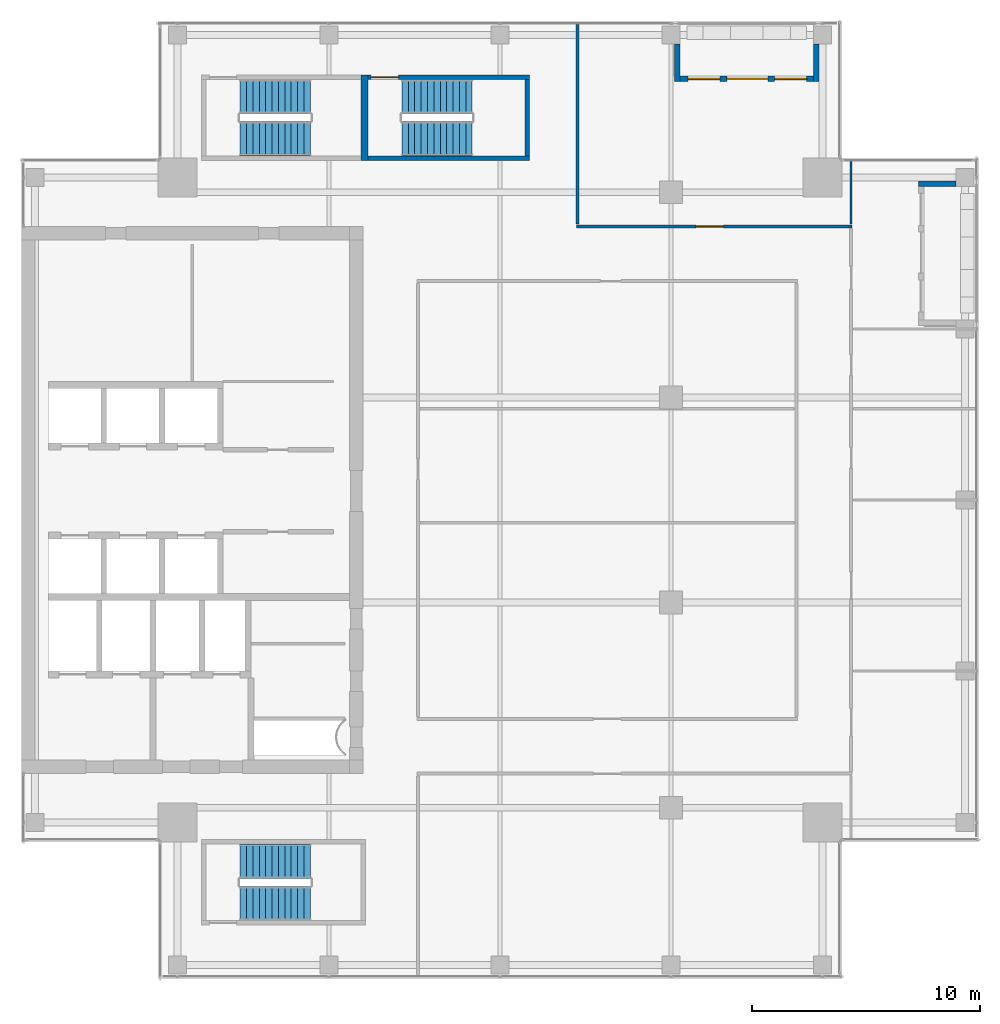
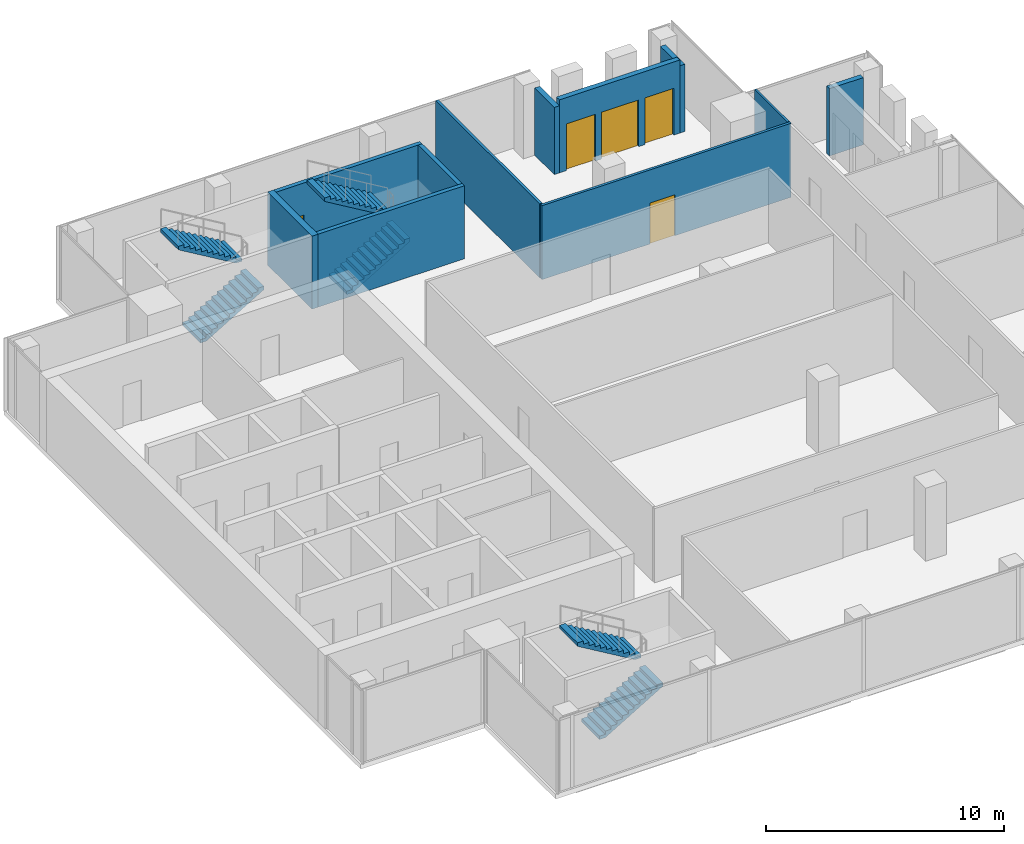
# One storey, part 27 of 29: 11 walls, 6 stair flights, 3 doors, 2 windows, 5 openings, 3 elements without a shape of their own.
"""IFC4 building model written with IfcOpenShell, lengths in metres."""

from ifc_helpers import new_model, si_unit, direction, frame, frame_2d, origin, place, context, subcontext, project, spatial, polyline, rectangle, outline, extrude, source, transform, mapped, material, layer, layer_set, type_object, element, fill, aggregate, save


model = new_model("IFC4")

# Units and contexts
model_context = context("Model", 3, precision=1e-05, world=origin(), true_north=direction((0.0, 1.0)))
body_context = subcontext(model_context, "Body", "Model", "MODEL_VIEW")
ifc_project = project(units=[si_unit("LENGTHUNIT", "METRE"), si_unit("AREAUNIT", "SQUARE_METRE"), si_unit("VOLUMEUNIT", "CUBIC_METRE"), si_unit("PLANEANGLEUNIT", "RADIAN"), si_unit("MASSUNIT", "GRAM", prefix="KILO")], contexts=[model_context])

# Site, building, storey
site_placement = place(None, origin())
site = spatial("IfcSite", under=ifc_project, at=site_placement, CompositionType="ELEMENT")
building_placement = place(site_placement, origin())
building = spatial("IfcBuilding", under=site, at=building_placement, Name="Khomas Fold Tower", CompositionType="ELEMENT")
storey_placement = place(building_placement, frame((0.0, 0.0, 310.199951171875)))
storey = spatial("IfcBuildingStorey", under=building, at=storey_placement, Name="L70", CompositionType="ELEMENT", Elevation=310.199951171875)

# Wall, opening, door
ifc_material_1 = material(Name="Concrete C50/60", Category="concrete")
ifc_layer_1 = layer(ifc_material_1, 0.199951171875)
ifc_layer_set_1 = layer_set([ifc_layer_1], Name="Concrete C50/60")
wall_type_1 = type_object("IfcWallType", Name="Stair wall 200", PredefinedType="SHEAR", material=ifc_layer_set_1)
shared_shape_1 = source(origin(), body_context, "Body", "SweptSolid", [
    extrude(rectangle(XDim=7.10009765625, YDim=0.199951171875, at=frame_2d((3.550048828125, 0.0))), origin(), (0.0, 0.0, 1.0), 3.75),
])
wall_1_placement = place(storey_placement, frame((21.199951171875, 45.550048828125, 0.0), z_axis=(0.0, 0.0, 1.0), x_axis=(1.0, 0.0, 0.0)))
wall_1 = element("IfcWall", 1, at=wall_1_placement, inside=storey, type_object=wall_type_1, Name="Stair wall SW-ST3-N", PredefinedType="SHEAR", context=body_context, shape_type="MappedRepresentation", body=[
    mapped(shared_shape_1, transform((0.0, 0.0, 0.0))),
])
shared_shape_2 = source(origin(), body_context, "Body", "SweptSolid", [
    extrude(rectangle(XDim=1.199951171875, YDim=2.10009765625, at=frame_2d((0.60009765625, 1.050048828125))), frame((0.0, 0.10986328125, 0.0), z_axis=(0.0, -1.0, 0.0), x_axis=(1.0, 0.0, 0.0)), (0.0, 0.0, 1.0), 0.219970703125),
])
opening_1_placement = place(wall_1_placement, frame((0.14990234375, 0.0, 0.0)))
opening_1 = element("IfcOpeningElement", 2, at=opening_1_placement, cuts=wall_1, Name="Opening SD-ST3", PredefinedType="OPENING", context=body_context, shape_type="MappedRepresentation", body=[
    mapped(shared_shape_2, transform((0.0, 0.0, 0.0))),
])
ifc_material_2 = material(Name="Steel door leaf", Category="steel")
door_type_1 = type_object("IfcDoorType", Name="Stair door 1200x2100 left-hand", OperationType="SINGLE_SWING_LEFT", PredefinedType="DOOR", material=ifc_material_2)
shared_shape_3 = source(origin(), body_context, "Body", "SweptSolid", [
    extrude(rectangle(XDim=1.199951171875, YDim=2.10009765625, at=frame_2d((0.60009765625, 1.050048828125))), frame((0.0, 0.02490234375, 0.0), z_axis=(0.0, -1.0, 0.0), x_axis=(1.0, 0.0, 0.0)), (0.0, 0.0, 1.0), 0.050048828125),
])
door_1_placement = place(opening_1_placement, origin())
door_1 = element("IfcDoor", 3, at=door_1_placement, inside=storey, type_object=door_type_1, Name="Stair door", OperationType="SINGLE_SWING_LEFT", OverallHeight=2.10009765625, OverallWidth=1.199951171875, PredefinedType="DOOR", context=body_context, shape_type="MappedRepresentation", body=[
    mapped(shared_shape_3, transform((0.0, 0.0, 0.0))),
])
fill(opening_1, door_1)

# Walls
wall_2_placement = place(storey_placement, frame((21.199951171875, 42.0, 0.0), z_axis=(0.0, 0.0, 1.0), x_axis=(1.0, 0.0, 0.0)))
element("IfcWall", 4, at=wall_2_placement, inside=storey, type_object=wall_type_1, Name="Stair wall SW-ST3-S", PredefinedType="SHEAR", context=body_context, shape_type="MappedRepresentation", body=[
    mapped(shared_shape_1, transform((0.0, 0.0, 0.0))),
])
ifc_material_3 = material(Name="Concrete C50/60", Category="concrete")
ifc_layer_2 = layer(ifc_material_3, 0.300048828125)
ifc_layer_set_2 = layer_set([ifc_layer_2], Name="Concrete C50/60")
wall_type_2 = type_object("IfcWallType", Name="Stair wall 300", PredefinedType="SHEAR", material=ifc_layer_set_2)
shared_shape_4 = source(origin(), body_context, "Body", "SweptSolid", [
    extrude(rectangle(XDim=3.75, YDim=0.300048828125, at=frame_2d((1.875, 0.0))), origin(), (0.0, 0.0, 1.0), 3.75),
])
wall_3_placement = place(storey_placement, frame((21.050048828125, 41.89990234375, 0.0), z_axis=(0.0, 0.0, 1.0), x_axis=(0.0, 1.0, 0.0)))
element("IfcWall", 5, at=wall_3_placement, inside=storey, type_object=wall_type_2, Name="Stair wall SW-ST1-E", PredefinedType="SHEAR", context=body_context, shape_type="MappedRepresentation", body=[
    mapped(shared_shape_4, transform((0.0, 0.0, 0.0))),
])
shared_shape_5 = source(origin(), body_context, "Body", "SweptSolid", [
    extrude(rectangle(XDim=3.349853515625, YDim=0.199951171875, at=frame_2d((1.6748046875, 0.0))), origin(), (0.0, 0.0, 1.0), 3.75),
])
wall_4_placement = place(storey_placement, frame((28.199951171875, 42.10009765625, 0.0), z_axis=(0.0, 0.0, 1.0), x_axis=(0.0, 1.0, 0.0)))
element("IfcWall", 6, at=wall_4_placement, inside=storey, type_object=wall_type_1, Name="Stair wall SW-ST3-E", PredefinedType="SHEAR", context=body_context, shape_type="MappedRepresentation", body=[
    mapped(shared_shape_5, transform((0.0, 0.0, 0.0))),
])

# Wall, openings, door, windows
ifc_material_4 = material(Name="Natural stone", Category="masonry")
ifc_layer_3 = layer(ifc_material_4, 0.0400390625)
ifc_material_5 = material(Name="Mineral wool insulation", Category="insulation")
ifc_layer_4 = layer(ifc_material_5, 0.10009765625)
ifc_material_6 = material(Name="Masonry", Category="masonry")
ifc_layer_5 = layer(ifc_material_6, 0.110107421875)
ifc_layer_set_3 = layer_set([ifc_layer_3, ifc_layer_4, ifc_layer_5], Name="Stone-faced insulated masonry")
wall_type_3 = type_object("IfcWallType", Name="BL-Balcony wall", PredefinedType="SOLIDWALL", material=ifc_layer_set_3)
shared_shape_6 = source(origin(), body_context, "Body", "SweptSolid", [
    extrude(rectangle(XDim=5.85009765625, YDim=0.25, at=frame_2d((2.925048828125, 0.0))), origin(), (0.0, 0.0, 1.0), 3.75),
])
wall_5_placement = place(storey_placement, frame((34.89990234375, 45.47509765625, 0.0), z_axis=(0.0, 0.0, 1.0), x_axis=(1.0, 0.0, 0.0)))
wall_5 = element("IfcWall", 7, at=wall_5_placement, inside=storey, type_object=wall_type_3, Name="Balcony wall BAL-L70-N4", PredefinedType="SOLIDWALL", context=body_context, shape_type="MappedRepresentation", body=[
    mapped(shared_shape_6, transform((0.0, 0.0, 0.0))),
])
shared_shape_7 = source(origin(), body_context, "Body", "SweptSolid", [
    extrude(rectangle(XDim=1.39990234375, YDim=2.39990234375, at=frame_2d((0.699951171875, 1.199951171875))), frame((0.0, 0.135009765625, 0.0), z_axis=(0.0, -1.0, 0.0), x_axis=(1.0, 0.0, 0.0)), (0.0, 0.0, 1.0), 0.27001953125),
])
opening_2_placement = place(wall_5_placement, frame((0.35009765625, 0.0, 0.0)))
opening_2 = element("IfcOpeningElement", 8, at=opening_2_placement, cuts=wall_5, Name="Opening BL-W6", PredefinedType="OPENING", context=body_context, shape_type="MappedRepresentation", body=[
    mapped(shared_shape_7, transform((0.0, 0.0, 0.0))),
])
opening_3_placement = place(wall_5_placement, frame((4.14990234375, 0.0, 0.0)))
opening_3 = element("IfcOpeningElement", 9, at=opening_3_placement, cuts=wall_5, Name="Opening BL-W6", PredefinedType="OPENING", context=body_context, shape_type="MappedRepresentation", body=[
    mapped(shared_shape_7, transform((0.0, 0.0, 0.0))),
])
shared_shape_8 = source(origin(), body_context, "Body", "SweptSolid", [
    extrude(rectangle(XDim=1.800048828125, YDim=2.39990234375, at=frame_2d((0.89990234375, 1.199951171875))), frame((0.0, 0.135009765625, 0.0), z_axis=(0.0, -1.0, 0.0), x_axis=(1.0, 0.0, 0.0)), (0.0, 0.0, 1.0), 0.27001953125),
])
opening_4_placement = place(wall_5_placement, frame((2.050048828125, 0.0, 0.0)))
opening_4 = element("IfcOpeningElement", 10, at=opening_4_placement, cuts=wall_5, Name="Opening BD702", PredefinedType="OPENING", context=body_context, shape_type="MappedRepresentation", body=[
    mapped(shared_shape_8, transform((0.0, 0.0, 0.0))),
])
ifc_material_7 = material(Name="Aluminium framed double glazing", Category="aluminium")
door_type_2 = type_object("IfcDoorType", Name="BL-Glazed balcony door 1800 x 2400", OperationType="DOUBLE_DOOR_DOUBLE_SWING", PredefinedType="DOOR", material=ifc_material_7)
shared_shape_9 = source(origin(), body_context, "Body", "SweptSolid", [
    extrude(rectangle(XDim=1.800048828125, YDim=2.39990234375, at=frame_2d((0.89990234375, 1.199951171875))), frame((0.0, 0.02490234375, 0.0), z_axis=(0.0, -1.0, 0.0), x_axis=(1.0, 0.0, 0.0)), (0.0, 0.0, 1.0), 0.050048828125),
])
door_2_placement = place(opening_4_placement, origin())
door_2 = element("IfcDoor", 11, at=door_2_placement, inside=storey, type_object=door_type_2, Name="Balcony door BD702", OperationType="DOUBLE_DOOR_DOUBLE_SWING", OverallHeight=2.39990234375, OverallWidth=1.800048828125, PredefinedType="DOOR", context=body_context, shape_type="MappedRepresentation", body=[
    mapped(shared_shape_9, transform((0.0, 0.0, 0.0))),
])
fill(opening_4, door_2)
ifc_material_8 = material(Name="Aluminium framed double glazing", Category="aluminium")
window_type = type_object("IfcWindowType", Name="BL-Fixed glazing 1400 x 2400", PartitioningType="SINGLE_PANEL", PredefinedType="WINDOW", material=ifc_material_8)
shared_shape_10 = source(origin(), body_context, "Body", "SweptSolid", [
    extrude(rectangle(XDim=1.39990234375, YDim=2.39990234375, at=frame_2d((0.699951171875, 1.199951171875))), frame((0.0, 0.030029296875, 0.0), z_axis=(0.0, -1.0, 0.0), x_axis=(1.0, 0.0, 0.0)), (0.0, 0.0, 1.0), 0.06005859375),
])
window_1_placement = place(opening_2_placement, origin())
window_1 = element("IfcWindow", 12, at=window_1_placement, inside=storey, type_object=window_type, Name="Balcony glazing BAL-L70-N4-1", OverallHeight=2.39990234375, OverallWidth=1.39990234375, PartitioningType="SINGLE_PANEL", PredefinedType="WINDOW", context=body_context, shape_type="MappedRepresentation", body=[
    mapped(shared_shape_10, transform((0.0, 0.0, 0.0))),
])
fill(opening_2, window_1)
window_2_placement = place(opening_3_placement, origin())
window_2 = element("IfcWindow", 13, at=window_2_placement, inside=storey, type_object=window_type, Name="Balcony glazing BAL-L70-N4-2", OverallHeight=2.39990234375, OverallWidth=1.39990234375, PartitioningType="SINGLE_PANEL", PredefinedType="WINDOW", context=body_context, shape_type="MappedRepresentation", body=[
    mapped(shared_shape_10, transform((0.0, 0.0, 0.0))),
])
fill(opening_3, window_2)

# Walls
shared_shape_11 = source(origin(), body_context, "Body", "SweptSolid", [
    extrude(rectangle(XDim=1.64990234375, YDim=0.25, at=frame_2d((0.824951171875, 0.0))), origin(), (0.0, 0.0, 1.0), 3.449951171875),
])
for number, where, z_axis, x_axis, name in (
    (14, (47.0, 40.875, 0.0), (0.0, 0.0, 1.0), (-1.0, 0.0, 0.0), "Balcony return wall BAL-L70-E4-hi"),
    (15, (34.77490234375, 47.0, 0.0), (0.0, 0.0, 1.0), (0.0, -1.0, 0.0), "Balcony return wall BAL-L70-N4-lo"),
    (16, (40.875, 47.0, 0.0), (0.0, 0.0, 1.0), (0.0, -1.0, 0.0), "Balcony return wall BAL-L70-N4-hi"),
):
    element("IfcWall", number, at=place(storey_placement, frame(where, z_axis=z_axis, x_axis=x_axis)), inside=storey, type_object=wall_type_3, Name=name, PredefinedType="SOLIDWALL", context=body_context, shape_type="MappedRepresentation", body=[
        mapped(shared_shape_11, transform((0.0, 0.0, 0.0))),
    ])
ifc_material_9 = material(Name="Plasterboard partition")
ifc_layer_6 = layer(ifc_material_9, 0.125)
ifc_layer_set_4 = layer_set([ifc_layer_6], Name="Plasterboard partition")
wall_type_4 = type_object("IfcWallType", Name="Partition PW2 125", PredefinedType="PARTITIONING", material=ifc_layer_set_4)
shared_shape_12 = source(origin(), body_context, "Body", "SweptSolid", [
    extrude(rectangle(XDim=8.75, YDim=0.125, at=frame_2d((4.375, 0.0))), origin(), (0.0, 0.0, 1.0), 3.800048828125),
])
wall_6_placement = place(storey_placement, frame((30.39990234375, 39.10009765625, 0.0), z_axis=(0.0, 0.0, 1.0), x_axis=(0.0, 1.0, 0.0)))
element("IfcWall", 17, at=wall_6_placement, inside=storey, type_object=wall_type_4, Name="Partition", PredefinedType="PARTITIONING", context=body_context, shape_type="MappedRepresentation", body=[
    mapped(shared_shape_12, transform((0.0, 0.0, 0.0))),
])
ifc_material_10 = material(Name="Plasterboard partition")
ifc_layer_7 = layer(ifc_material_10, 0.10009765625)
ifc_layer_set_5 = layer_set([ifc_layer_7], Name="Plasterboard partition")
wall_type_5 = type_object("IfcWallType", Name="Partition PW1 100", PredefinedType="PARTITIONING", material=ifc_layer_set_5)
shared_shape_13 = source(origin(), body_context, "Body", "SweptSolid", [
    extrude(rectangle(XDim=2.75, YDim=0.10009765625, at=frame_2d((1.375, 0.0))), origin(), (0.0, 0.0, 1.0), 3.800048828125),
])
wall_7_placement = place(storey_placement, frame((42.39990234375, 39.10009765625, 0.0), z_axis=(0.0, 0.0, 1.0), x_axis=(0.0, 1.0, 0.0)))
element("IfcWall", 18, at=wall_7_placement, inside=storey, type_object=wall_type_5, Name="Partition", PredefinedType="PARTITIONING", context=body_context, shape_type="MappedRepresentation", body=[
    mapped(shared_shape_13, transform((0.0, 0.0, 0.0))),
])

# Wall, opening, door
shared_shape_14 = source(origin(), body_context, "Body", "SweptSolid", [
    extrude(rectangle(XDim=12.099853515625, YDim=0.125, at=frame_2d((6.0498046875, 0.0))), origin(), (0.0, 0.0, 1.0), 3.800048828125),
])
wall_8_placement = place(storey_placement, frame((30.35009765625, 39.0, 0.0), z_axis=(0.0, 0.0, 1.0), x_axis=(1.0, 0.0, 0.0)))
wall_8 = element("IfcWall", 19, at=wall_8_placement, inside=storey, type_object=wall_type_4, Name="Partition", PredefinedType="PARTITIONING", context=body_context, shape_type="MappedRepresentation", body=[
    mapped(shared_shape_14, transform((0.0, 0.0, 0.0))),
])
shared_shape_15 = source(origin(), body_context, "Body", "SweptSolid", [
    extrude(rectangle(XDim=1.199951171875, YDim=2.10009765625, at=frame_2d((0.60009765625, 1.050048828125))), frame((0.0, 0.072509765625, 0.0), z_axis=(0.0, -1.0, 0.0), x_axis=(1.0, 0.0, 0.0)), (0.0, 0.0, 1.0), 0.14501953125),
])
opening_5_placement = place(wall_8_placement, frame((5.25, 0.0, 0.0)))
opening_5 = element("IfcOpeningElement", 20, at=opening_5_placement, cuts=wall_8, Name="Opening 0013", PredefinedType="OPENING", context=body_context, shape_type="MappedRepresentation", body=[
    mapped(shared_shape_15, transform((0.0, 0.0, 0.0))),
])
ifc_material_11 = material(Name="Timber door leaf", Category="wood")
door_type_3 = type_object("IfcDoorType", Name="Door 1200x2100 left-hand", OperationType="SINGLE_SWING_LEFT", PredefinedType="DOOR", material=ifc_material_11)
door_3_placement = place(opening_5_placement, origin())
door_3 = element("IfcDoor", 21, at=door_3_placement, inside=storey, type_object=door_type_3, Name="Door", OperationType="SINGLE_SWING_LEFT", OverallHeight=2.10009765625, OverallWidth=1.199951171875, PredefinedType="DOOR", context=body_context, shape_type="MappedRepresentation", body=[
    mapped(shared_shape_3, transform((0.0, 0.0, 0.0))),
])
fill(opening_5, door_3)

# Stair, stair flights
ifc_material_12 = material(Name="Concrete C40/50", Category="concrete")
stair_type_1 = type_object("IfcStairType", Name="Stair ST1", PredefinedType="HALF_TURN_STAIR", material=ifc_material_12)
stair_1_placement = place(storey_placement, origin())
stair_1 = element("IfcStair", 22, at=stair_1_placement, inside=storey, type_object=stair_type_1, Name="L70 ST1", PredefinedType="HALF_TURN_STAIR")
ifc_material_13 = material(Name="Concrete C40/50", Category="concrete")
stair_flight_type_1 = type_object("IfcStairFlightType", Name="Stair flight 1500 ST1", PredefinedType="STRAIGHT", material=ifc_material_13)
shared_shape_16 = source(origin(), body_context, "Body", "SweptSolid", [
    extrude(outline(polyline([(0.0, 0.0), (0.0, 0.012939453125), (0.0, 0.025634765625), (0.0, 0.03857421875), (0.0, 0.05126953125), (0.0, 0.064208984375), (0.0, 0.076904296875), (0.0, 0.08984375), (0.0, 0.1025390625), (0.0, 0.115478515625), (0.0, 0.128173828125), (0.0, 0.14111328125), (0.0, 0.15380859375), (0.0, 0.166748046875), (0.280029296875, 0.166748046875), (0.280029296875, 0.333251953125), (0.56005859375, 0.333251953125), (0.56005859375, 0.5), (0.840087890625, 0.5), (0.840087890625, 0.666748046875), (1.1201171875, 0.666748046875), (1.1201171875, 0.833251953125), (1.39990234375, 0.833251953125), (1.39990234375, 1.0), (1.679931640625, 1.0), (1.679931640625, 1.166748046875), (1.9599609375, 1.166748046875), (1.9599609375, 1.333251953125), (2.239990234375, 1.333251953125), (2.239990234375, 1.5), (2.52001953125, 1.5), (2.52001953125, 1.666748046875), (2.800048828125, 1.666748046875), (2.800048828125, 1.833251953125), (3.080078125, 1.833251953125), (3.080078125, 2.0), (3.080078125, 1.973876953125), (3.080078125, 1.947509765625), (3.080078125, 1.92138671875), (3.080078125, 1.89501953125), (3.080078125, 1.868896484375), (3.080078125, 1.842529296875), (3.080078125, 1.81640625), (3.080078125, 1.7900390625), (3.080078125, 1.763916015625), (3.080078125, 1.737548828125), (3.080078125, 1.71142578125), (3.080078125, 1.68505859375), (3.080078125, 1.658935546875), (0.29296875, 0.0), (0.0, 0.0)])), frame((0.0, 0.75, 0.0), z_axis=(0.0, -1.0, 0.0), x_axis=(1.0, 0.0, 0.0)), (0.0, 0.0, 1.0), 1.5),
])
stair_flight_1_placement = place(storey_placement, frame((15.60009765625, 42.85009765625, 0.0), z_axis=(0.0, 0.0, 1.0), x_axis=(1.0, 0.0, 0.0)))
stair_flight_1 = element("IfcStairFlight", 23, at=stair_flight_1_placement, type_object=stair_flight_type_1, Name="ST1 flight 1", NumberOfRisers=12, NumberOfTreads=11, PredefinedType="STRAIGHT", RiserHeight=0.166666667, TreadLength=0.28, context=body_context, shape_type="MappedRepresentation", body=[
    mapped(shared_shape_16, transform((0.0, 0.0, 0.0))),
])
stair_flight_2_placement = place(storey_placement, frame((18.679931640625, 44.699951171875, 2.0), z_axis=(0.0, 0.0, 1.0), x_axis=(-1.0, 0.0, 0.0)))
stair_flight_2 = element("IfcStairFlight", 24, at=stair_flight_2_placement, type_object=stair_flight_type_1, Name="ST1 flight 2", NumberOfRisers=12, NumberOfTreads=11, PredefinedType="STRAIGHT", RiserHeight=0.166666667, TreadLength=0.28, context=body_context, shape_type="MappedRepresentation", body=[
    mapped(shared_shape_16, transform((0.0, 0.0, 0.0))),
])
aggregate(stair_1, [stair_flight_1, stair_flight_2])

ifc_material_14 = material(Name="Concrete C40/50", Category="concrete")
stair_type_2 = type_object("IfcStairType", Name="Stair ST2", PredefinedType="HALF_TURN_STAIR", material=ifc_material_14)
stair_2_placement = place(storey_placement, origin())
stair_2 = element("IfcStair", 25, at=stair_2_placement, inside=storey, type_object=stair_type_2, Name="L70 ST2", PredefinedType="HALF_TURN_STAIR")
ifc_material_15 = material(Name="Concrete C40/50", Category="concrete")
stair_flight_type_2 = type_object("IfcStairFlightType", Name="Stair flight 1500 ST2", PredefinedType="STRAIGHT", material=ifc_material_15)
stair_flight_3_placement = place(storey_placement, frame((15.60009765625, 9.300048828125, 0.0), z_axis=(0.0, 0.0, 1.0), x_axis=(1.0, 0.0, 0.0)))
stair_flight_3 = element("IfcStairFlight", 26, at=stair_flight_3_placement, type_object=stair_flight_type_2, Name="ST2 flight 1", NumberOfRisers=12, NumberOfTreads=11, PredefinedType="STRAIGHT", RiserHeight=0.166666667, TreadLength=0.28, context=body_context, shape_type="MappedRepresentation", body=[
    mapped(shared_shape_16, transform((0.0, 0.0, 0.0))),
])
stair_flight_4_placement = place(storey_placement, frame((18.679931640625, 11.14990234375, 2.0), z_axis=(0.0, 0.0, 1.0), x_axis=(-1.0, 0.0, 0.0)))
stair_flight_4 = element("IfcStairFlight", 27, at=stair_flight_4_placement, type_object=stair_flight_type_2, Name="ST2 flight 2", NumberOfRisers=12, NumberOfTreads=11, PredefinedType="STRAIGHT", RiserHeight=0.166666667, TreadLength=0.28, context=body_context, shape_type="MappedRepresentation", body=[
    mapped(shared_shape_16, transform((0.0, 0.0, 0.0))),
])
aggregate(stair_2, [stair_flight_3, stair_flight_4])

ifc_material_16 = material(Name="Concrete C40/50", Category="concrete")
stair_type_3 = type_object("IfcStairType", Name="Stair ST3", PredefinedType="HALF_TURN_STAIR", material=ifc_material_16)
stair_3_placement = place(storey_placement, origin())
stair_3 = element("IfcStair", 28, at=stair_3_placement, inside=storey, type_object=stair_type_3, Name="L70 ST3", PredefinedType="HALF_TURN_STAIR")
ifc_material_17 = material(Name="Concrete C40/50", Category="concrete")
stair_flight_type_3 = type_object("IfcStairFlightType", Name="Stair flight 1500 ST3", PredefinedType="STRAIGHT", material=ifc_material_17)
stair_flight_5_placement = place(storey_placement, frame((22.699951171875, 42.85009765625, 0.0), z_axis=(0.0, 0.0, 1.0), x_axis=(1.0, 0.0, 0.0)))
stair_flight_5 = element("IfcStairFlight", 29, at=stair_flight_5_placement, type_object=stair_flight_type_3, Name="ST3 flight 1", NumberOfRisers=12, NumberOfTreads=11, PredefinedType="STRAIGHT", RiserHeight=0.166666667, TreadLength=0.28, context=body_context, shape_type="MappedRepresentation", body=[
    mapped(shared_shape_16, transform((0.0, 0.0, 0.0))),
])
stair_flight_6_placement = place(storey_placement, frame((25.780029296875, 44.699951171875, 2.0), z_axis=(0.0, 0.0, 1.0), x_axis=(-1.0, 0.0, 0.0)))
stair_flight_6 = element("IfcStairFlight", 30, at=stair_flight_6_placement, type_object=stair_flight_type_3, Name="ST3 flight 2", NumberOfRisers=12, NumberOfTreads=11, PredefinedType="STRAIGHT", RiserHeight=0.166666667, TreadLength=0.28, context=body_context, shape_type="MappedRepresentation", body=[
    mapped(shared_shape_16, transform((0.0, 0.0, 0.0))),
])
aggregate(stair_3, [stair_flight_5, stair_flight_6])

save(model, "model.ifc")
